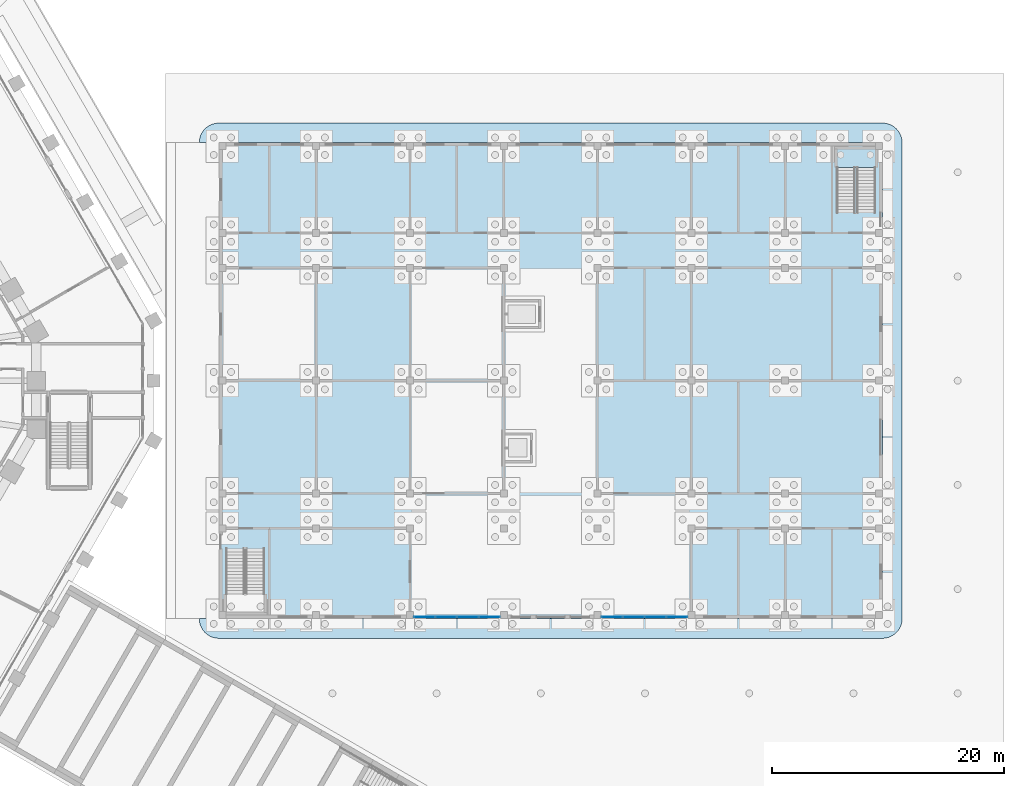
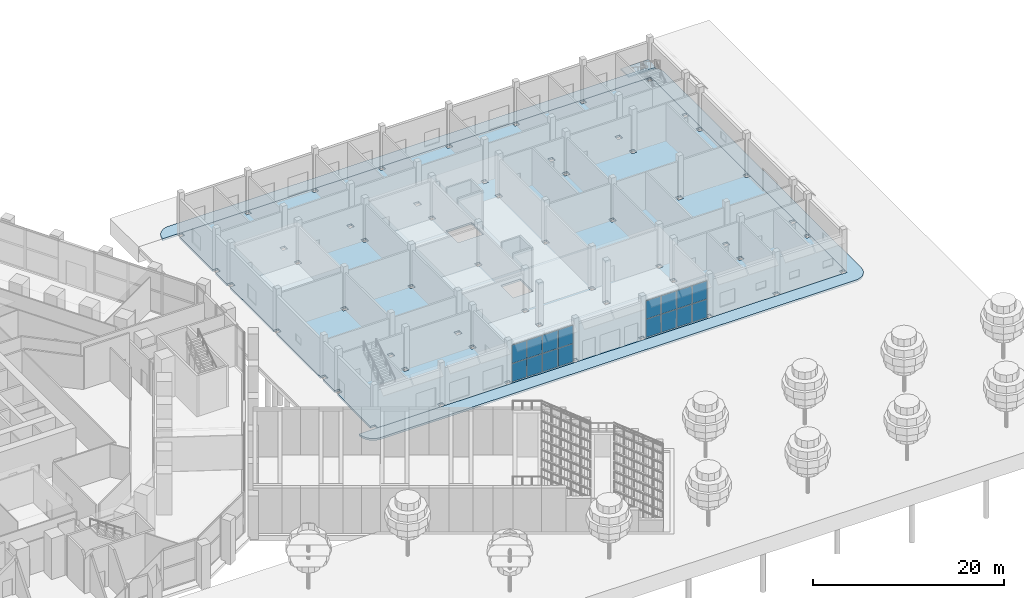
# One storey, part 15 of 44: 16 plates, 3 slabs, 3 elements without a shape of their own.
"""IFC4 building model written with IfcOpenShell, lengths in metres."""

from ifc_helpers import new_model, si_unit, direction, frame, origin, origin_2d, place, context, subcontext, project, spatial, polyline, rectangle, outline, extrude, material, layer, layer_set, type_object, element, aggregate, save


model = new_model("IFC4")

# Units and contexts
model_context = context("Model", 3, precision=1e-05, world=origin(), true_north=direction((0.0, 1.0)))
body_context = subcontext(model_context, "Body", "Model", "MODEL_VIEW")
ifc_project = project(units=[si_unit("LENGTHUNIT", "METRE"), si_unit("AREAUNIT", "SQUARE_METRE"), si_unit("VOLUMEUNIT", "CUBIC_METRE"), si_unit("PLANEANGLEUNIT", "RADIAN"), si_unit("MASSUNIT", "GRAM", prefix="KILO")], contexts=[model_context])

# Site, building, storey
site_placement = place(None, origin())
site = spatial("IfcSite", under=ifc_project, at=site_placement, CompositionType="ELEMENT")
building_placement = place(site_placement, origin())
building = spatial("IfcBuilding", under=site, at=building_placement, Name="Frailejon Research Tower", CompositionType="ELEMENT")
storey_placement = place(building_placement, origin())
storey = spatial("IfcBuildingStorey", under=building, at=storey_placement, Name="L00", CompositionType="ELEMENT", Elevation=0.0)

# Curtain wall, plates
ifc_material_1 = material(Name="Aluminium curtain wall", Category="aluminium")
curtain_wall_type = type_object("IfcCurtainWallType", Name="HC curtain wall system", PredefinedType="NOTDEFINED", material=ifc_material_1)
curtain_wall_1_placement = place(storey_placement, origin())
curtain_wall_1 = element("IfcCurtainWall", 1, at=curtain_wall_1_placement, inside=storey, type_object=curtain_wall_type, Name="HC curtain wall", PredefinedType="NOTDEFINED")
ifc_material_2 = material(Name="Clear laminated glass", Category="glass")
ifc_layer_1 = layer(ifc_material_2, 0.028076171875)
ifc_layer_set_1 = layer_set([ifc_layer_1], Name="HC curtain wall glass panel 28")
plate_type = type_object("IfcPlateType", Name="HC curtain wall glass panel 28", PredefinedType="CURTAIN_PANEL", material=ifc_layer_set_1)
plate_1_placement = place(storey_placement, frame((61.952392578125, -20.39990234375, 0.06005859375), z_axis=(0.0, 0.0, 1.0), x_axis=(1.0, 0.0, 0.0)))
plate_1 = element("IfcPlate", 2, at=plate_1_placement, type_object=plate_type, Name="HCW1 panel 1.1", PredefinedType="CURTAIN_PANEL", context=body_context, shape_type="SweptSolid", body=[
    extrude(rectangle(XDim=1.784912109375, YDim=0.028076171875, at=origin_2d()), origin(), (0.0, 0.0, 1.0), 2.31005859375),
])
plate_2_placement = place(storey_placement, frame((61.952392578125, -20.39990234375, 2.429931640625), z_axis=(0.0, 0.0, 1.0), x_axis=(1.0, 0.0, 0.0)))
plate_2 = element("IfcPlate", 3, at=plate_2_placement, type_object=plate_type, Name="HCW1 panel 1.2", PredefinedType="CURTAIN_PANEL", context=body_context, shape_type="SweptSolid", body=[
    extrude(rectangle(XDim=1.784912109375, YDim=0.028076171875, at=origin_2d()), origin(), (0.0, 0.0, 1.0), 2.31005859375),
])
plate_3_placement = place(storey_placement, frame((63.8125, -20.39990234375, 0.06005859375), z_axis=(0.0, 0.0, 1.0), x_axis=(1.0, 0.0, 0.0)))
plate_3 = element("IfcPlate", 4, at=plate_3_placement, type_object=plate_type, Name="HCW1 panel 2.1", PredefinedType="CURTAIN_PANEL", context=body_context, shape_type="SweptSolid", body=[
    extrude(rectangle(XDim=1.81494140625, YDim=0.028076171875, at=origin_2d()), origin(), (0.0, 0.0, 1.0), 2.31005859375),
])
plate_4_placement = place(storey_placement, frame((63.8125, -20.39990234375, 2.429931640625), z_axis=(0.0, 0.0, 1.0), x_axis=(1.0, 0.0, 0.0)))
plate_4 = element("IfcPlate", 5, at=plate_4_placement, type_object=plate_type, Name="HCW1 panel 2.2", PredefinedType="CURTAIN_PANEL", context=body_context, shape_type="SweptSolid", body=[
    extrude(rectangle(XDim=1.81494140625, YDim=0.028076171875, at=origin_2d()), origin(), (0.0, 0.0, 1.0), 2.31005859375),
])
plate_5_placement = place(storey_placement, frame((65.6875, -20.39990234375, 0.06005859375), z_axis=(0.0, 0.0, 1.0), x_axis=(1.0, 0.0, 0.0)))
plate_5 = element("IfcPlate", 6, at=plate_5_placement, type_object=plate_type, Name="HCW1 panel 3.1", PredefinedType="CURTAIN_PANEL", context=body_context, shape_type="SweptSolid", body=[
    extrude(rectangle(XDim=1.81494140625, YDim=0.028076171875, at=origin_2d()), origin(), (0.0, 0.0, 1.0), 2.31005859375),
])
plate_6_placement = place(storey_placement, frame((65.6875, -20.39990234375, 2.429931640625), z_axis=(0.0, 0.0, 1.0), x_axis=(1.0, 0.0, 0.0)))
plate_6 = element("IfcPlate", 7, at=plate_6_placement, type_object=plate_type, Name="HCW1 panel 3.2", PredefinedType="CURTAIN_PANEL", context=body_context, shape_type="SweptSolid", body=[
    extrude(rectangle(XDim=1.81494140625, YDim=0.028076171875, at=origin_2d()), origin(), (0.0, 0.0, 1.0), 2.31005859375),
])
plate_7_placement = place(storey_placement, frame((67.547607421875, -20.39990234375, 0.06005859375), z_axis=(0.0, 0.0, 1.0), x_axis=(1.0, 0.0, 0.0)))
plate_7 = element("IfcPlate", 8, at=plate_7_placement, type_object=plate_type, Name="HCW1 panel 4.1", PredefinedType="CURTAIN_PANEL", context=body_context, shape_type="SweptSolid", body=[
    extrude(rectangle(XDim=1.784912109375, YDim=0.028076171875, at=origin_2d()), origin(), (0.0, 0.0, 1.0), 2.31005859375),
])
plate_8_placement = place(storey_placement, frame((67.547607421875, -20.39990234375, 2.429931640625), z_axis=(0.0, 0.0, 1.0), x_axis=(1.0, 0.0, 0.0)))
plate_8 = element("IfcPlate", 9, at=plate_8_placement, type_object=plate_type, Name="HCW1 panel 4.2", PredefinedType="CURTAIN_PANEL", context=body_context, shape_type="SweptSolid", body=[
    extrude(rectangle(XDim=1.784912109375, YDim=0.028076171875, at=origin_2d()), origin(), (0.0, 0.0, 1.0), 2.31005859375),
])
aggregate(curtain_wall_1, [plate_1, plate_2, plate_3, plate_4, plate_5, plate_6, plate_7, plate_8])

curtain_wall_2_placement = place(storey_placement, origin())
curtain_wall_2 = element("IfcCurtainWall", 10, at=curtain_wall_2_placement, inside=storey, type_object=curtain_wall_type, Name="HC curtain wall", PredefinedType="NOTDEFINED")
plate_9_placement = place(storey_placement, frame((78.152587890625, -20.39990234375, 0.06005859375), z_axis=(0.0, 0.0, 1.0), x_axis=(1.0, 0.0, 0.0)))
plate_9 = element("IfcPlate", 11, at=plate_9_placement, type_object=plate_type, Name="HCW1 panel 1.1", PredefinedType="CURTAIN_PANEL", context=body_context, shape_type="SweptSolid", body=[
    extrude(rectangle(XDim=1.784912109375, YDim=0.028076171875, at=origin_2d()), origin(), (0.0, 0.0, 1.0), 2.31005859375),
])
plate_10_placement = place(storey_placement, frame((78.152587890625, -20.39990234375, 2.429931640625), z_axis=(0.0, 0.0, 1.0), x_axis=(1.0, 0.0, 0.0)))
plate_10 = element("IfcPlate", 12, at=plate_10_placement, type_object=plate_type, Name="HCW1 panel 1.2", PredefinedType="CURTAIN_PANEL", context=body_context, shape_type="SweptSolid", body=[
    extrude(rectangle(XDim=1.784912109375, YDim=0.028076171875, at=origin_2d()), origin(), (0.0, 0.0, 1.0), 2.31005859375),
])
plate_11_placement = place(storey_placement, frame((80.012451171875, -20.39990234375, 0.06005859375), z_axis=(0.0, 0.0, 1.0), x_axis=(1.0, 0.0, 0.0)))
plate_11 = element("IfcPlate", 13, at=plate_11_placement, type_object=plate_type, Name="HCW1 panel 2.1", PredefinedType="CURTAIN_PANEL", context=body_context, shape_type="SweptSolid", body=[
    extrude(rectangle(XDim=1.81494140625, YDim=0.028076171875, at=origin_2d()), origin(), (0.0, 0.0, 1.0), 2.31005859375),
])
plate_12_placement = place(storey_placement, frame((80.012451171875, -20.39990234375, 2.429931640625), z_axis=(0.0, 0.0, 1.0), x_axis=(1.0, 0.0, 0.0)))
plate_12 = element("IfcPlate", 14, at=plate_12_placement, type_object=plate_type, Name="HCW1 panel 2.2", PredefinedType="CURTAIN_PANEL", context=body_context, shape_type="SweptSolid", body=[
    extrude(rectangle(XDim=1.81494140625, YDim=0.028076171875, at=origin_2d()), origin(), (0.0, 0.0, 1.0), 2.31005859375),
])
plate_13_placement = place(storey_placement, frame((81.887451171875, -20.39990234375, 0.06005859375), z_axis=(0.0, 0.0, 1.0), x_axis=(1.0, 0.0, 0.0)))
plate_13 = element("IfcPlate", 15, at=plate_13_placement, type_object=plate_type, Name="HCW1 panel 3.1", PredefinedType="CURTAIN_PANEL", context=body_context, shape_type="SweptSolid", body=[
    extrude(rectangle(XDim=1.81494140625, YDim=0.028076171875, at=origin_2d()), origin(), (0.0, 0.0, 1.0), 2.31005859375),
])
plate_14_placement = place(storey_placement, frame((81.887451171875, -20.39990234375, 2.429931640625), z_axis=(0.0, 0.0, 1.0), x_axis=(1.0, 0.0, 0.0)))
plate_14 = element("IfcPlate", 16, at=plate_14_placement, type_object=plate_type, Name="HCW1 panel 3.2", PredefinedType="CURTAIN_PANEL", context=body_context, shape_type="SweptSolid", body=[
    extrude(rectangle(XDim=1.81494140625, YDim=0.028076171875, at=origin_2d()), origin(), (0.0, 0.0, 1.0), 2.31005859375),
])
plate_15_placement = place(storey_placement, frame((83.74755859375, -20.39990234375, 0.06005859375), z_axis=(0.0, 0.0, 1.0), x_axis=(1.0, 0.0, 0.0)))
plate_15 = element("IfcPlate", 17, at=plate_15_placement, type_object=plate_type, Name="HCW1 panel 4.1", PredefinedType="CURTAIN_PANEL", context=body_context, shape_type="SweptSolid", body=[
    extrude(rectangle(XDim=1.784912109375, YDim=0.028076171875, at=origin_2d()), origin(), (0.0, 0.0, 1.0), 2.31005859375),
])
plate_16_placement = place(storey_placement, frame((83.74755859375, -20.39990234375, 2.429931640625), z_axis=(0.0, 0.0, 1.0), x_axis=(1.0, 0.0, 0.0)))
plate_16 = element("IfcPlate", 18, at=plate_16_placement, type_object=plate_type, Name="HCW1 panel 4.2", PredefinedType="CURTAIN_PANEL", context=body_context, shape_type="SweptSolid", body=[
    extrude(rectangle(XDim=1.784912109375, YDim=0.028076171875, at=origin_2d()), origin(), (0.0, 0.0, 1.0), 2.31005859375),
])
aggregate(curtain_wall_2, [plate_9, plate_10, plate_11, plate_12, plate_13, plate_14, plate_15, plate_16])

# Slab
ifc_material_3 = material(Name="Concrete C35/45", Category="concrete")
ifc_layer_2 = layer(ifc_material_3, 0.25)
ifc_layer_set_2 = layer_set([ifc_layer_2], Name="HC ground slab 250")
slab_type_1 = type_object("IfcSlabType", Name="HC ground slab 250", PredefinedType="BASESLAB", material=ifc_layer_set_2)
slab_1_placement = place(storey_placement, frame((0.0, 0.0, -0.25)))
element("IfcSlab", 19, at=slab_1_placement, inside=storey, type_object=slab_type_1, Name="HC ground floor slab", PredefinedType="BASESLAB", context=body_context, shape_type="SweptSolid", body=[
    extrude(outline(polyline([(101.5, -19.949951171875), (100.89990234375, -19.949951171875), (100.89990234375, -20.550048828125), (93.39990234375, -20.550048828125), (93.39990234375, -19.949951171875), (92.800048828125, -19.949951171875), (92.800048828125, -20.550048828125), (85.300048828125, -20.550048828125), (85.300048828125, -19.949951171875), (84.699951171875, -19.949951171875), (84.699951171875, -20.550048828125), (77.199951171875, -20.550048828125), (77.199951171875, -19.949951171875), (76.60009765625, -19.949951171875), (76.60009765625, -20.550048828125), (69.10009765625, -20.550048828125), (69.10009765625, -19.949951171875), (68.5, -19.949951171875), (68.5, -20.550048828125), (61.0, -20.550048828125), (61.0, -19.949951171875), (60.39990234375, -19.949951171875), (60.39990234375, -20.550048828125), (52.89990234375, -20.550048828125), (52.89990234375, -19.949951171875), (52.300048828125, -19.949951171875), (52.300048828125, -20.550048828125), (44.800048828125, -20.550048828125), (44.800048828125, -19.949951171875), (44.199951171875, -19.949951171875), (44.199951171875, -13.050048828125), (44.800048828125, -13.050048828125), (44.800048828125, -12.449951171875), (44.199951171875, -12.449951171875), (44.199951171875, -10.050048828125), (44.800048828125, -10.050048828125), (44.800048828125, -9.449951171875), (44.199951171875, -9.449951171875), (44.199951171875, -0.300048828125), (44.800048828125, -0.300048828125), (44.800048828125, 0.300048828125), (44.199951171875, 0.300048828125), (44.199951171875, 9.449951171875), (44.800048828125, 9.449951171875), (44.800048828125, 10.050048828125), (44.199951171875, 10.050048828125), (44.199951171875, 12.449951171875), (44.800048828125, 12.449951171875), (44.800048828125, 13.050048828125), (44.199951171875, 13.050048828125), (44.199951171875, 19.949951171875), (44.800048828125, 19.949951171875), (44.800048828125, 20.550048828125), (52.300048828125, 20.550048828125), (52.300048828125, 19.949951171875), (52.89990234375, 19.949951171875), (52.89990234375, 20.550048828125), (60.39990234375, 20.550048828125), (60.39990234375, 19.949951171875), (61.0, 19.949951171875), (61.0, 20.550048828125), (68.5, 20.550048828125), (68.5, 19.949951171875), (69.10009765625, 19.949951171875), (69.10009765625, 20.550048828125), (76.60009765625, 20.550048828125), (76.60009765625, 19.949951171875), (77.199951171875, 19.949951171875), (77.199951171875, 20.550048828125), (84.699951171875, 20.550048828125), (84.699951171875, 19.949951171875), (85.300048828125, 19.949951171875), (85.300048828125, 20.550048828125), (92.800048828125, 20.550048828125), (92.800048828125, 19.949951171875), (93.39990234375, 19.949951171875), (93.39990234375, 20.550048828125), (100.89990234375, 20.550048828125), (100.89990234375, 19.949951171875), (101.5, 19.949951171875), (101.5, 13.050048828125), (100.89990234375, 13.050048828125), (100.89990234375, 12.449951171875), (101.5, 12.449951171875), (101.5, 10.050048828125), (100.89990234375, 10.050048828125), (100.89990234375, 9.449951171875), (101.5, 9.449951171875), (101.5, 0.300048828125), (100.89990234375, 0.300048828125), (100.89990234375, -0.300048828125), (101.5, -0.300048828125), (101.5, -9.449951171875), (100.89990234375, -9.449951171875), (100.89990234375, -10.050048828125), (101.5, -10.050048828125), (101.5, -12.449951171875), (100.89990234375, -12.449951171875), (100.89990234375, -13.050048828125), (101.5, -13.050048828125), (101.5, -19.949951171875)]), holes=[polyline([(93.39990234375, -13.050048828125), (93.39990234375, -12.449951171875), (92.800048828125, -12.449951171875), (92.800048828125, -13.050048828125), (93.39990234375, -13.050048828125)]), polyline([(92.800048828125, 12.449951171875), (93.39990234375, 12.449951171875), (93.39990234375, 13.050048828125), (92.800048828125, 13.050048828125), (92.800048828125, 12.449951171875)]), polyline([(92.800048828125, 9.449951171875), (93.39990234375, 9.449951171875), (93.39990234375, 10.050048828125), (92.800048828125, 10.050048828125), (92.800048828125, 9.449951171875)]), polyline([(92.800048828125, -0.300048828125), (93.39990234375, -0.300048828125), (93.39990234375, 0.300048828125), (92.800048828125, 0.300048828125), (92.800048828125, -0.300048828125)]), polyline([(92.800048828125, -10.050048828125), (93.39990234375, -10.050048828125), (93.39990234375, -9.449951171875), (92.800048828125, -9.449951171875), (92.800048828125, -10.050048828125)]), polyline([(84.699951171875, -0.300048828125), (85.300048828125, -0.300048828125), (85.300048828125, 0.300048828125), (84.699951171875, 0.300048828125), (84.699951171875, -0.300048828125)]), polyline([(84.699951171875, -13.050048828125), (85.300048828125, -13.050048828125), (85.300048828125, -12.449951171875), (84.699951171875, -12.449951171875), (84.699951171875, -13.050048828125)]), polyline([(84.699951171875, -10.050048828125), (85.300048828125, -10.050048828125), (85.300048828125, -9.449951171875), (84.699951171875, -9.449951171875), (84.699951171875, -10.050048828125)]), polyline([(84.699951171875, 9.449951171875), (85.300048828125, 9.449951171875), (85.300048828125, 10.050048828125), (84.699951171875, 10.050048828125), (84.699951171875, 9.449951171875)]), polyline([(84.699951171875, 12.449951171875), (85.300048828125, 12.449951171875), (85.300048828125, 13.050048828125), (84.699951171875, 13.050048828125), (84.699951171875, 12.449951171875)]), polyline([(77.199951171875, -0.300048828125), (77.199951171875, 0.300048828125), (76.60009765625, 0.300048828125), (76.60009765625, -0.300048828125), (77.199951171875, -0.300048828125)]), polyline([(76.60009765625, 12.449951171875), (77.199951171875, 12.449951171875), (77.199951171875, 13.050048828125), (76.60009765625, 13.050048828125), (76.60009765625, 12.449951171875)]), polyline([(76.60009765625, 9.449951171875), (77.199951171875, 9.449951171875), (77.199951171875, 10.050048828125), (76.60009765625, 10.050048828125), (76.60009765625, 9.449951171875)]), polyline([(76.60009765625, -13.050048828125), (77.199951171875, -13.050048828125), (77.199951171875, -12.449951171875), (76.60009765625, -12.449951171875), (76.60009765625, -13.050048828125)]), polyline([(76.60009765625, -10.050048828125), (77.199951171875, -10.050048828125), (77.199951171875, -9.449951171875), (76.60009765625, -9.449951171875), (76.60009765625, -10.050048828125)]), polyline([(68.89990234375, 4.5), (72.0, 4.5), (72.0, 7.0), (68.89990234375, 7.0), (68.89990234375, 4.5)]), polyline([(68.89990234375, -7.10009765625), (71.300048828125, -7.10009765625), (71.300048828125, -4.5), (68.89990234375, -4.5), (68.89990234375, -7.10009765625)]), polyline([(69.10009765625, 12.449951171875), (69.10009765625, 13.050048828125), (68.5, 13.050048828125), (68.5, 12.449951171875), (69.10009765625, 12.449951171875)]), polyline([(68.5, 9.449951171875), (69.10009765625, 9.449951171875), (69.10009765625, 10.050048828125), (68.5, 10.050048828125), (68.5, 9.449951171875)]), polyline([(68.5, -0.300048828125), (69.10009765625, -0.300048828125), (69.10009765625, 0.300048828125), (68.5, 0.300048828125), (68.5, -0.300048828125)]), polyline([(68.5, -10.050048828125), (69.10009765625, -10.050048828125), (69.10009765625, -9.449951171875), (68.5, -9.449951171875), (68.5, -10.050048828125)]), polyline([(68.5, -13.050048828125), (69.10009765625, -13.050048828125), (69.10009765625, -12.449951171875), (68.5, -12.449951171875), (68.5, -13.050048828125)]), polyline([(60.39990234375, 12.449951171875), (61.0, 12.449951171875), (61.0, 13.050048828125), (60.39990234375, 13.050048828125), (60.39990234375, 12.449951171875)]), polyline([(60.39990234375, 9.449951171875), (61.0, 9.449951171875), (61.0, 10.050048828125), (60.39990234375, 10.050048828125), (60.39990234375, 9.449951171875)]), polyline([(60.39990234375, -0.300048828125), (61.0, -0.300048828125), (61.0, 0.300048828125), (60.39990234375, 0.300048828125), (60.39990234375, -0.300048828125)]), polyline([(60.39990234375, -10.050048828125), (61.0, -10.050048828125), (61.0, -9.449951171875), (60.39990234375, -9.449951171875), (60.39990234375, -10.050048828125)]), polyline([(60.39990234375, -13.050048828125), (61.0, -13.050048828125), (61.0, -12.449951171875), (60.39990234375, -12.449951171875), (60.39990234375, -13.050048828125)]), polyline([(52.300048828125, -13.050048828125), (52.89990234375, -13.050048828125), (52.89990234375, -12.449951171875), (52.300048828125, -12.449951171875), (52.300048828125, -13.050048828125)]), polyline([(52.89990234375, 12.449951171875), (52.89990234375, 13.050048828125), (52.300048828125, 13.050048828125), (52.300048828125, 12.449951171875), (52.89990234375, 12.449951171875)]), polyline([(52.300048828125, 9.449951171875), (52.89990234375, 9.449951171875), (52.89990234375, 10.050048828125), (52.300048828125, 10.050048828125), (52.300048828125, 9.449951171875)]), polyline([(52.300048828125, -0.300048828125), (52.89990234375, -0.300048828125), (52.89990234375, 0.300048828125), (52.300048828125, 0.300048828125), (52.300048828125, -0.300048828125)]), polyline([(52.300048828125, -10.050048828125), (52.89990234375, -10.050048828125), (52.89990234375, -9.449951171875), (52.300048828125, -9.449951171875), (52.300048828125, -10.050048828125)])]), origin(), (0.0, 0.0, 1.0), 0.25),
])

# Stair, slab
ifc_material_4 = material(Name="Concrete C35/45", Category="concrete")
stair_type = type_object("IfcStairType", Name="HC stair", PredefinedType="HALF_TURN_STAIR", material=ifc_material_4)
stair_placement = place(storey_placement, origin())
stair = element("IfcStair", 20, at=stair_placement, inside=storey, type_object=stair_type, Name="L00 HC stair B", PredefinedType="HALF_TURN_STAIR")
ifc_material_5 = material(Name="Concrete C35/45", Category="concrete")
ifc_layer_3 = layer(ifc_material_5, 0.199951171875)
ifc_layer_set_3 = layer_set([ifc_layer_3], Name="HC stair landing")
slab_type_2 = type_object("IfcSlabType", Name="HC stair landing", PredefinedType="LANDING", material=ifc_layer_set_3)
slab_2_placement = place(storey_placement, frame((0.0, 0.0, 2.60009765625)))
slab_2 = element("IfcSlab", 21, at=slab_2_placement, type_object=slab_type_2, Name="HS-B landing 1", PredefinedType="LANDING", context=body_context, shape_type="SweptSolid", body=[
    extrude(outline(polyline([(100.89990234375, 18.419921875), (100.89990234375, 20.02001953125), (97.550048828125, 20.02001953125), (97.550048828125, 18.419921875), (100.89990234375, 18.419921875)])), origin(), (0.0, 0.0, 1.0), 0.199951171875),
])
aggregate(stair, [slab_2])

# Slab
ifc_material_6 = material(Name="Precast concrete paving C30/37", Category="concrete")
ifc_layer_4 = layer(ifc_material_6, 0.25)
ifc_layer_set_4 = layer_set([ifc_layer_4], Name="Plaza paving 250")
slab_type_3 = type_object("IfcSlabType", Name="Plaza paving 250", PredefinedType="USERDEFINED", material=ifc_layer_set_4)
slab_3_placement = place(storey_placement, frame((0.0, 0.0, -0.25)))
element("IfcSlab", 22, at=slab_3_placement, inside=storey, type_object=slab_type_3, Name="Plaza paving", ObjectType="PAVING", PredefinedType="USERDEFINED", context=body_context, shape_type="SweptSolid", body=[
    extrude(outline(polyline([(101.5, -20.550048828125), (101.5, 20.550048828125), (44.199951171875, 20.550048828125), (42.5, 20.550048828125), (42.50830078125, 20.716552734375), (42.53271484375, 20.881591796875), (42.5732421875, 21.04345703125), (42.62939453125, 21.20068359375), (42.70068359375, 21.351318359375), (42.78662109375, 21.494384765625), (42.885986328125, 21.62841796875), (42.997802734375, 21.752197265625), (43.12158203125, 21.864013671875), (43.255615234375, 21.96337890625), (43.398681640625, 22.04931640625), (43.54931640625, 22.12060546875), (43.70654296875, 22.1767578125), (43.868408203125, 22.21728515625), (44.033447265625, 22.24169921875), (44.199951171875, 22.25), (101.5, 22.25), (101.66650390625, 22.24169921875), (101.831787109375, 22.21728515625), (101.993408203125, 22.1767578125), (102.150634765625, 22.12060546875), (102.301513671875, 22.04931640625), (102.444580078125, 21.96337890625), (102.57861328125, 21.864013671875), (102.7021484375, 21.752197265625), (102.814208984375, 21.62841796875), (102.91357421875, 21.494384765625), (102.999267578125, 21.351318359375), (103.070556640625, 21.20068359375), (103.126708984375, 21.04345703125), (103.167236328125, 20.881591796875), (103.19189453125, 20.716552734375), (103.199951171875, 20.550048828125), (103.199951171875, -20.550048828125), (103.19189453125, -20.716552734375), (103.167236328125, -20.881591796875), (103.126708984375, -21.04345703125), (103.070556640625, -21.20068359375), (102.999267578125, -21.351318359375), (102.91357421875, -21.494384765625), (102.814208984375, -21.62841796875), (102.7021484375, -21.752197265625), (102.57861328125, -21.864013671875), (102.444580078125, -21.96337890625), (102.301513671875, -22.04931640625), (102.150634765625, -22.12060546875), (101.993408203125, -22.1767578125), (101.831787109375, -22.21728515625), (101.66650390625, -22.24169921875), (101.5, -22.25), (44.199951171875, -22.25), (44.033447265625, -22.24169921875), (43.868408203125, -22.21728515625), (43.70654296875, -22.1767578125), (43.54931640625, -22.12060546875), (43.398681640625, -22.04931640625), (43.255615234375, -21.96337890625), (43.12158203125, -21.864013671875), (42.997802734375, -21.752197265625), (42.885986328125, -21.62841796875), (42.78662109375, -21.494384765625), (42.70068359375, -21.351318359375), (42.62939453125, -21.20068359375), (42.5732421875, -21.04345703125), (42.53271484375, -20.881591796875), (42.50830078125, -20.716552734375), (42.5, -20.550048828125), (44.199951171875, -20.550048828125), (101.5, -20.550048828125)])), origin(), (0.0, 0.0, 1.0), 0.25),
])

save(model, "model.ifc")
